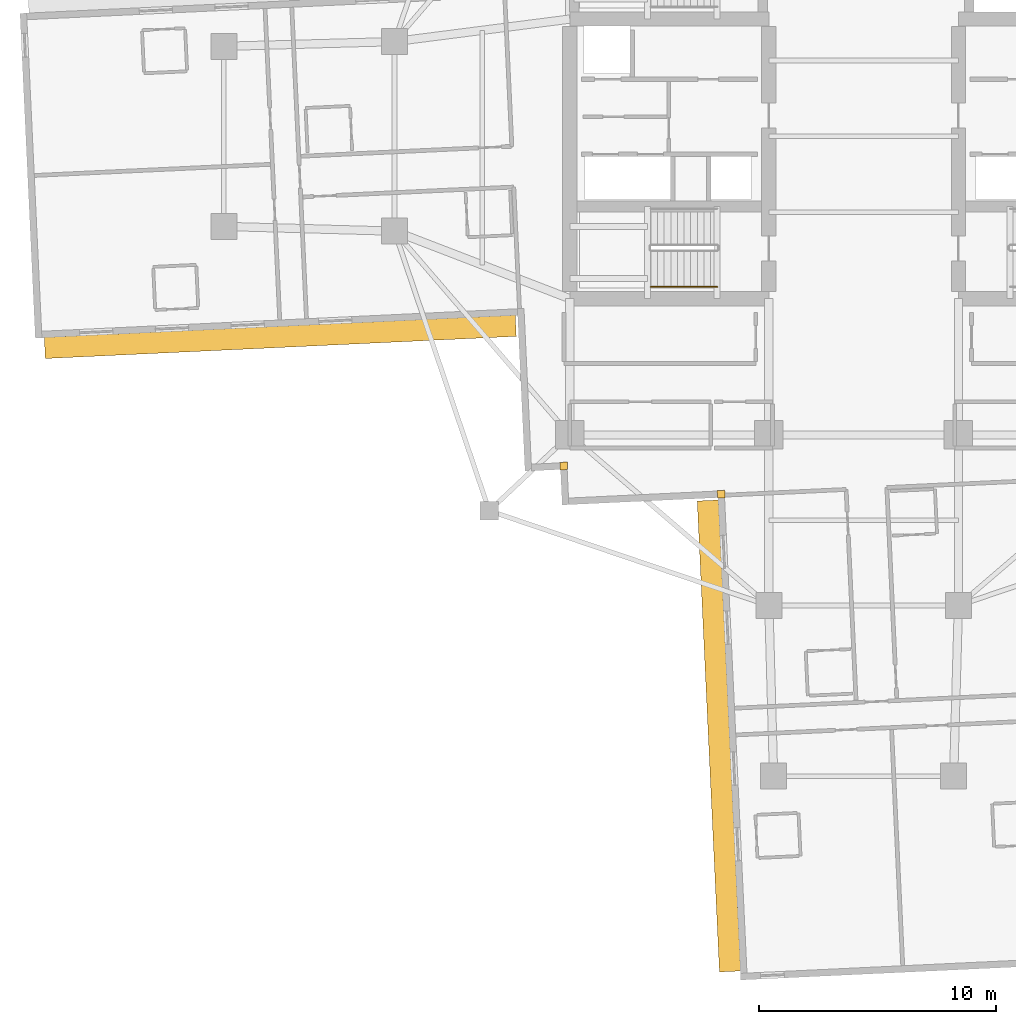
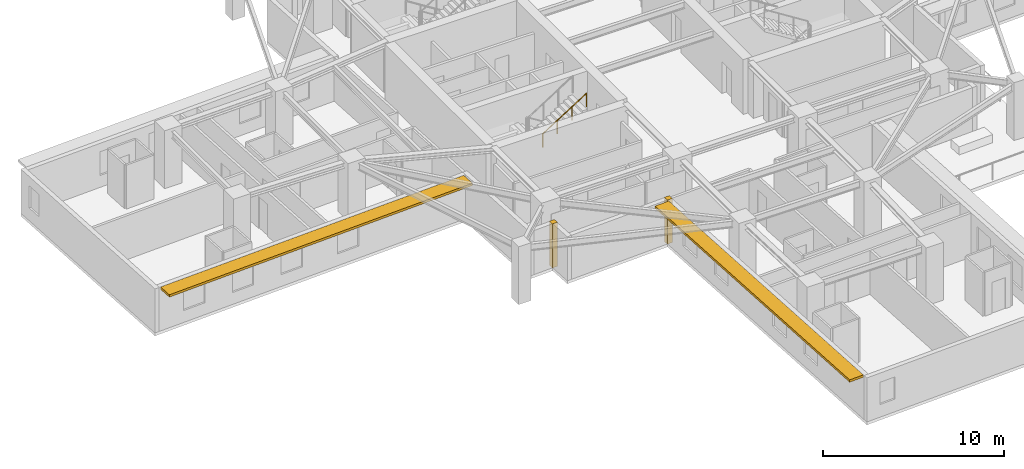
# One storey, part 10 of 14: 2 coverings, 2 shading devices, 1 railing.
"""IFC4 building model written with IfcOpenShell, lengths in metres."""

from ifc_helpers import new_model, si_unit, direction, frame, origin, origin_2d, place, context, subcontext, project, spatial, rectangle, circle, extrude, material, layer, layer_set, type_object, element, save


model = new_model("IFC4")

# Units and contexts
model_context = context("Model", 3, precision=1e-05, world=origin(), true_north=direction((0.0, 1.0)))
body_context = subcontext(model_context, "Body", "Model", "MODEL_VIEW")
ifc_project = project(units=[si_unit("LENGTHUNIT", "METRE"), si_unit("AREAUNIT", "SQUARE_METRE"), si_unit("VOLUMEUNIT", "CUBIC_METRE"), si_unit("PLANEANGLEUNIT", "RADIAN"), si_unit("MASSUNIT", "GRAM", prefix="KILO")], contexts=[model_context])

# Site, building, storey
site_placement = place(None, origin())
site = spatial("IfcSite", under=ifc_project, at=site_placement, CompositionType="ELEMENT")
building_placement = place(site_placement, origin())
building = spatial("IfcBuilding", under=site, at=building_placement, Name="Qingluan Cross Belvedere", CompositionType="ELEMENT")
storey_placement = place(building_placement, frame((0.0, 0.0, 116.39990234375)))
storey = spatial("IfcBuildingStorey", under=building, at=storey_placement, Name="L29", CompositionType="ELEMENT", Elevation=116.39990234375)

# Coverings
ifc_material_1 = material(Name="Precast concrete C45", Category="concrete")
ifc_layer_1 = layer(ifc_material_1, 0.1201171875, Name="ConcreteSpandrelCladding_120")
ifc_layer_set_1 = layer_set([ifc_layer_1], Name="Precast concrete C45")
covering_type = type_object("IfcCoveringType", Name="ConcreteSpandrelCladding_120", PredefinedType="CLADDING", material=ifc_layer_set_1)
for number, where, z_axis, x_axis, name in (
    (1, (-12.65869140625, -13.911865234375, 0.0), (0.0, 0.0, 1.0), (0.998889874962, 0.04710645071, 0.0), "Corner closure L29-SW1"),
    (2, (-6.015380859375, -15.10009765625, 0.0), (0.0, 0.0, 1.0), (0.998889874962, 0.04710645071, 0.0), "Corner closure L29-SW2"),
):
    element("IfcCovering", number, at=place(storey_placement, frame(where, z_axis=z_axis, x_axis=x_axis)), inside=storey, type_object=covering_type, Name=name, PredefinedType="CLADDING", context=body_context, shape_type="SweptSolid", body=[
        extrude(rectangle(XDim=0.320068359375, YDim=0.320068359375, at=origin_2d()), origin(), (0.0, 0.0, 1.0), 2.969970703125),
    ])

# Shading devices
ifc_material_2 = material(Name="Precast concrete C45", Category="concrete")
ifc_layer_2 = layer(ifc_material_2, 0.159912109375, Name="ConcreteSunshadeBand_900")
ifc_layer_set_2 = layer_set([ifc_layer_2], Name="Precast concrete C45")
shading_device_type = type_object("IfcShadingDeviceType", Name="ConcreteSunshadeBand_900", PredefinedType="USERDEFINED", material=ifc_layer_set_2)
for number, where, z_axis, x_axis, name in (
    (3, (-24.618896484375, -8.458984375, 2.7900390625), (0.0, 0.0, 1.0), (0.998889958255, 0.047104684445, 0.0), "Concrete SUNSHADE L29-WB"),
    (4, (-6.104736328125, -25.3056640625, 2.7900390625), (0.0, 0.0, 1.0), (0.04710941444, -0.998889735192, 0.0), "Concrete SUNSHADE L29-SA"),
):
    element("IfcShadingDevice", number, at=place(storey_placement, frame(where, z_axis=z_axis, x_axis=x_axis)), inside=storey, type_object=shading_device_type, Name=name, ObjectType="SUNSHADE", PredefinedType="USERDEFINED", context=body_context, shape_type="SweptSolid", body=[
        extrude(rectangle(XDim=19.89990234375, YDim=0.89990234375, at=origin_2d()), origin(), (0.0, 0.0, 1.0), 0.159912109375),
    ])

# Railing
ifc_material_3 = material(Name="Brushed stainless steel tubular handrail", Category="steel")
railing_type = type_object("IfcRailingType", Name="StairPitchHandrail_900", PredefinedType="HANDRAIL", material=ifc_material_3)
railing_placement = place(storey_placement, frame((-8.97998046875, -6.35009765625, 2.12744140625)))
element("IfcRailing", 5, at=railing_placement, inside=storey, type_object=railing_type, Name="L29 ST1 stair handrail 2", PredefinedType="HANDRAIL", context=body_context, shape_type="SweptSolid", body=[
    extrude(circle(Radius=0.02392578125, at=origin_2d()), frame((0.0, 0.0, 0.8759765625), z_axis=(0.844908973607, 0.0, 0.534910110503), x_axis=(0.0, 1.0, 0.0)), (0.0, 0.0, 1.0), 3.31396484375),
    extrude(circle(Radius=0.02099609375, at=origin_2d()), origin(), (0.0, 0.0, 1.0), 0.851806640625),
    extrude(circle(Radius=0.02099609375, at=origin_2d()), frame((0.933349609375, 0.0, 0.5908203125)), (0.0, 0.0, 1.0), 0.851806640625),
    extrude(circle(Radius=0.02099609375, at=origin_2d()), frame((1.86669921875, 0.0, 1.181884765625)), (0.0, 0.0, 1.0), 0.851806640625),
    extrude(circle(Radius=0.02099609375, at=origin_2d()), frame((2.800048828125, 0.0, 1.772705078125)), (0.0, 0.0, 1.0), 0.851806640625),
])

save(model, "model.ifc")
